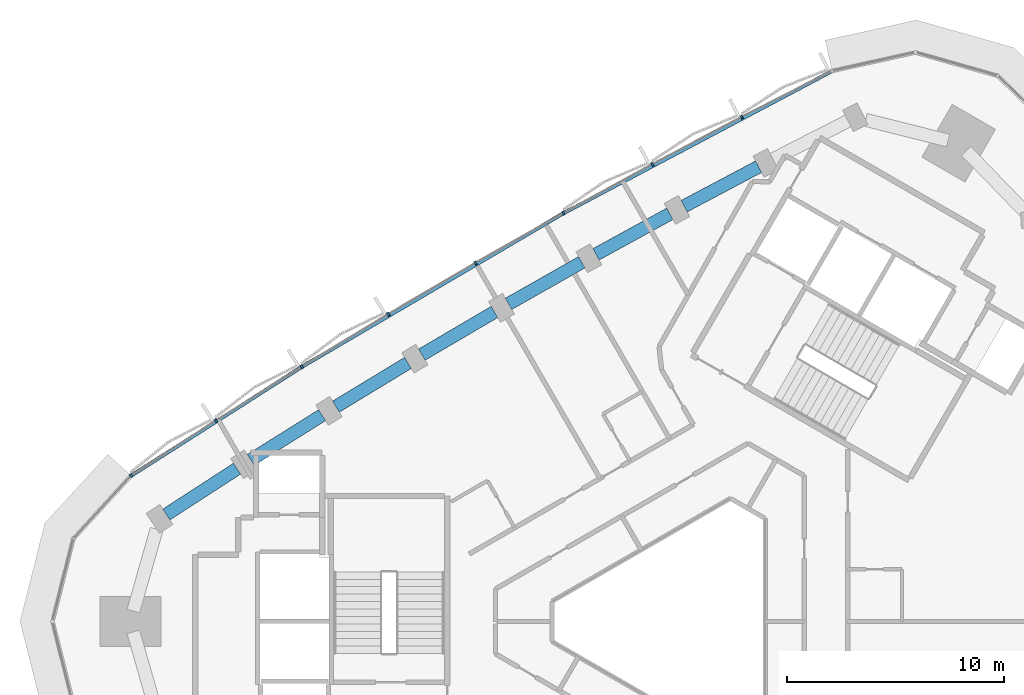
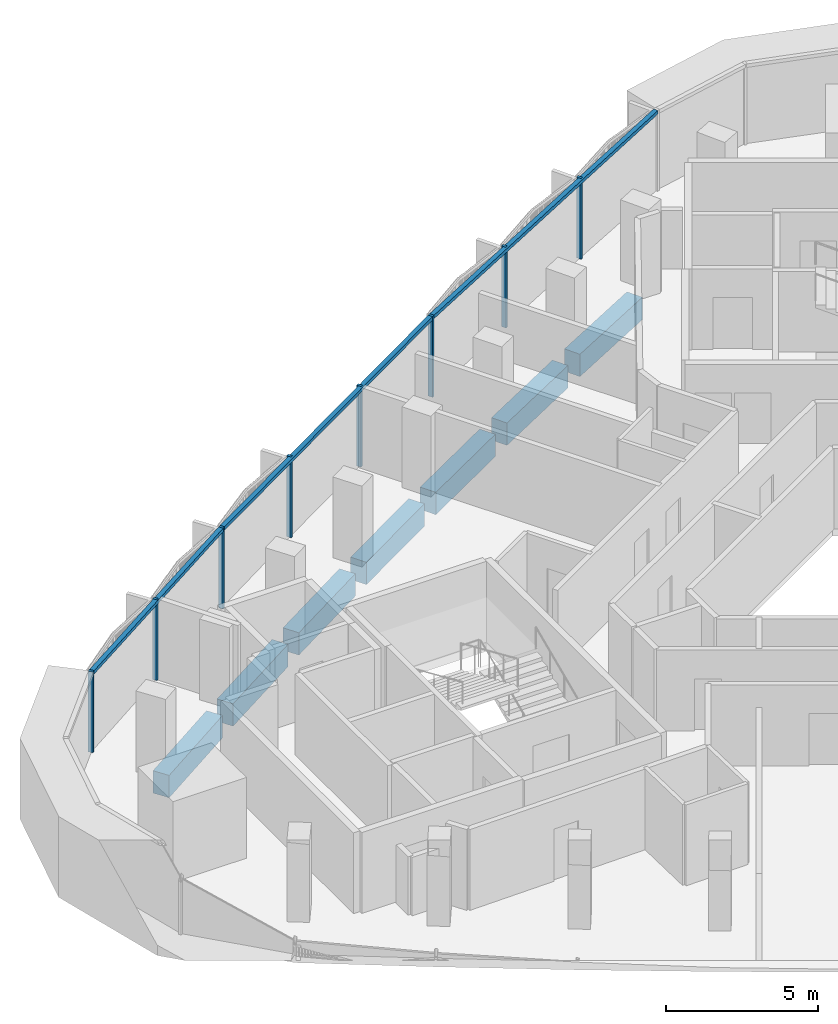
# One storey, part 5 of 16: 11 members, 7 beams, 1 element without a shape of its own.
"""IFC4 building model written with IfcOpenShell, lengths in metres."""

from ifc_helpers import new_model, si_unit, direction, frame, origin, origin_2d, place, context, subcontext, project, spatial, rectangle, extrude, material, material_profile, profile_set, type_object, element, aggregate, save


model = new_model("IFC4")

# Units and contexts
model_context = context("Model", 3, precision=1e-05, world=origin(), true_north=direction((0.0, 1.0)))
body_context = subcontext(model_context, "Body", "Model", "MODEL_VIEW")
ifc_project = project(units=[si_unit("LENGTHUNIT", "METRE"), si_unit("AREAUNIT", "SQUARE_METRE"), si_unit("VOLUMEUNIT", "CUBIC_METRE"), si_unit("PLANEANGLEUNIT", "RADIAN"), si_unit("MASSUNIT", "GRAM", prefix="KILO")], contexts=[model_context])

# Site, building, storey
site_placement = place(None, origin())
site = spatial("IfcSite", under=ifc_project, at=site_placement, CompositionType="ELEMENT")
building_placement = place(site_placement, origin())
building = spatial("IfcBuilding", under=site, at=building_placement, Name="Tamra Quay Hotel Tower", CompositionType="ELEMENT")
storey_placement = place(building_placement, frame((0.0, 0.0, 239.39990234375)))
storey = spatial("IfcBuildingStorey", under=building, at=storey_placement, Name="L60", CompositionType="ELEMENT", Elevation=239.39990234375)

# Curtain wall, members
ifc_material_1 = material(Name="Aluminium 6063 anodised dark grey", Category="aluminium")
curtain_wall_type = type_object("IfcCurtainWallType", Name="CW2 CURTAIN WALL", PredefinedType="NOTDEFINED", material=ifc_material_1)
curtain_wall_placement = place(storey_placement, origin())
curtain_wall = element("IfcCurtainWall", 1, at=curtain_wall_placement, inside=storey, type_object=curtain_wall_type, Name="CW2 north-west face L60", PredefinedType="NOTDEFINED")
ifc_material_profile_1 = material_profile(ifc_material_1, rectangle(XDim=0.169921875, YDim=0.10009765625, at=origin_2d()), Name="MULLION 100X170")
ifc_profile_set_1 = profile_set([ifc_material_profile_1], Name="Aluminium 6063 anodised dark grey")
member_type_1 = type_object("IfcMemberType", Name="MULLION CW2 Z5", PredefinedType="MULLION", material=ifc_profile_set_1)
member_1_placement = place(storey_placement, frame((2.730712890625, 23.223388671875, 0.0), z_axis=(0.0, 0.0, 1.0), x_axis=(-0.461344395639, 0.887221138507, 0.0)))
member_1 = element("IfcMember", 2, at=member_1_placement, type_object=member_type_1, Name="CW2 mullion L60.NW.2", PredefinedType="MULLION", context=body_context, shape_type="SweptSolid", body=[
    extrude(rectangle(XDim=0.169921875, YDim=0.10009765625, at=origin_2d()), origin(), (0.0, 0.0, 1.0), 3.25),
])
member_2_placement = place(storey_placement, frame((-1.388671875, 21.04296875, 0.0), z_axis=(0.0, 0.0, 1.0), x_axis=(-0.474319060265, 0.880353013892, 0.0)))
member_2 = element("IfcMember", 3, at=member_2_placement, type_object=member_type_1, Name="CW2 mullion L60.NW.3", PredefinedType="MULLION", context=body_context, shape_type="SweptSolid", body=[
    extrude(rectangle(XDim=0.169921875, YDim=0.10009765625, at=origin_2d()), origin(), (0.0, 0.0, 1.0), 3.25),
])
member_3_placement = place(storey_placement, frame((-5.47412109375, 18.802978515625, 0.0), z_axis=(0.0, 0.0, 1.0), x_axis=(-0.487204209401, 0.873288072942, 0.0)))
member_3 = element("IfcMember", 4, at=member_3_placement, type_object=member_type_1, Name="CW2 mullion L60.NW.4", PredefinedType="MULLION", context=body_context, shape_type="SweptSolid", body=[
    extrude(rectangle(XDim=0.169921875, YDim=0.10009765625, at=origin_2d()), origin(), (0.0, 0.0, 1.0), 3.25),
])
member_4_placement = place(storey_placement, frame((-9.527587890625, 16.502197265625, 0.0), z_axis=(0.0, 0.0, 1.0), x_axis=(-0.5, 0.866025403784, 0.0)))
member_4 = element("IfcMember", 5, at=member_4_placement, type_object=member_type_1, Name="CW2 mullion L60.NW.5", PredefinedType="MULLION", context=body_context, shape_type="SweptSolid", body=[
    extrude(rectangle(XDim=0.169921875, YDim=0.10009765625, at=origin_2d()), origin(), (0.0, 0.0, 1.0), 3.25),
])
member_5_placement = place(storey_placement, frame((-13.546630859375, 14.14208984375, 0.0), z_axis=(0.0, 0.0, 1.0), x_axis=(-0.512687551289, 0.858575258643, 0.0)))
member_5 = element("IfcMember", 6, at=member_5_placement, type_object=member_type_1, Name="CW2 mullion L60.NW.6", PredefinedType="MULLION", context=body_context, shape_type="SweptSolid", body=[
    extrude(rectangle(XDim=0.169921875, YDim=0.10009765625, at=origin_2d()), origin(), (0.0, 0.0, 1.0), 3.25),
])
member_6_placement = place(storey_placement, frame((-17.529296875, 11.72412109375, 0.0), z_axis=(0.0, 0.0, 1.0), x_axis=(-0.525248544196, 0.850948862635, 0.0)))
member_6 = element("IfcMember", 7, at=member_6_placement, type_object=member_type_1, Name="CW2 mullion L60.NW.7", PredefinedType="MULLION", context=body_context, shape_type="SweptSolid", body=[
    extrude(rectangle(XDim=0.169921875, YDim=0.10009765625, at=origin_2d()), origin(), (0.0, 0.0, 1.0), 3.25),
])
member_7_placement = place(storey_placement, frame((-21.477294921875, 9.2470703125, 0.0), z_axis=(0.0, 0.0, 1.0), x_axis=(-0.537683846902, 0.84314653577, 0.0)))
member_7 = element("IfcMember", 8, at=member_7_placement, type_object=member_type_1, Name="CW2 mullion L60.NW.8", PredefinedType="MULLION", context=body_context, shape_type="SweptSolid", body=[
    extrude(rectangle(XDim=0.169921875, YDim=0.10009765625, at=origin_2d()), origin(), (0.0, 0.0, 1.0), 3.25),
])
member_8_placement = place(storey_placement, frame((-25.387939453125, 6.712646484375, 0.0), z_axis=(0.0, 0.0, 1.0), x_axis=(-0.64584626761, 0.763467483665, 0.0)))
member_8 = element("IfcMember", 9, at=member_8_placement, type_object=member_type_1, Name="CW2 mullion L60.NW.9", PredefinedType="MULLION", context=body_context, shape_type="SweptSolid", body=[
    extrude(rectangle(XDim=0.169921875, YDim=0.10009765625, at=origin_2d()), origin(), (0.0, 0.0, 1.0), 3.25),
])

# Beams
ifc_material_2 = material(Name="Concrete M60", Category="concrete")
ifc_material_profile_2 = material_profile(ifc_material_2, rectangle(XDim=0.60009765625, YDim=0.89990234375, at=origin_2d()), Name="SPANDREL BEAM RC 600x900")
ifc_profile_set_2 = profile_set([ifc_material_profile_2], Name="Concrete M60")
beam_type = type_object("IfcBeamType", Name="SPANDREL BEAM RC 600x900", PredefinedType="SPANDREL", material=ifc_profile_set_2)
beam_1_placement = place(storey_placement, frame((3.5, 20.931396484375, -0.7998046875), z_axis=(-0.883803240878, -0.467858772937, 0.0), x_axis=(0.467858772937, -0.883803240878, 0.0)))
element("IfcBeam", 10, at=beam_1_placement, inside=storey, type_object=beam_type, Name="BM-SP5-011-L60", PredefinedType="SPANDREL", context=body_context, shape_type="SweptSolid", body=[
    extrude(rectangle(XDim=0.60009765625, YDim=0.89990234375, at=origin_2d()), origin(), (0.0, 0.0, 1.0), 3.875),
])
beam_2_placement = place(storey_placement, frame((-0.585205078125, 18.7626953125, -0.7998046875), z_axis=(-0.876838966376, -0.480784179279, 0.0), x_axis=(0.480784179279, -0.876838966376, 0.0)))
element("IfcBeam", 11, at=beam_2_placement, inside=storey, type_object=beam_type, Name="BM-SP5-012-L60", PredefinedType="SPANDREL", context=body_context, shape_type="SweptSolid", body=[
    extrude(rectangle(XDim=0.60009765625, YDim=0.89990234375, at=origin_2d()), origin(), (0.0, 0.0, 1.0), 3.87548828125),
])
beam_3_placement = place(storey_placement, frame((-4.638427734375, 16.533935546875, -0.7998046875), z_axis=(-0.86967787455, -0.493619686113, 0.0), x_axis=(0.493619686113, -0.86967787455, 0.0)))
element("IfcBeam", 12, at=beam_3_placement, inside=storey, type_object=beam_type, Name="BM-SP5-013-L60", PredefinedType="SPANDREL", context=body_context, shape_type="SweptSolid", body=[
    extrude(rectangle(XDim=0.60009765625, YDim=0.89990234375, at=origin_2d()), origin(), (0.0, 0.0, 1.0), 3.875244140625),
])
beam_4_placement = place(storey_placement, frame((-8.658203125, 14.24609375, -0.7998046875), z_axis=(-0.862324287816, -0.506356418585, 0.0), x_axis=(0.506356418585, -0.862324287816, 0.0)))
element("IfcBeam", 13, at=beam_4_placement, inside=storey, type_object=beam_type, Name="BM-SP5-014-L60", PredefinedType="SPANDREL", context=body_context, shape_type="SweptSolid", body=[
    extrude(rectangle(XDim=0.60009765625, YDim=0.89990234375, at=origin_2d()), origin(), (0.0, 0.0, 1.0), 3.875),
])
beam_5_placement = place(storey_placement, frame((-12.6435546875, 11.8994140625, -0.7998046875), z_axis=(-0.854785519234, -0.518981421737, 0.0), x_axis=(0.518981421737, -0.854785519234, 0.0)))
element("IfcBeam", 14, at=beam_5_placement, inside=storey, type_object=beam_type, Name="BM-SP5-015-L60", PredefinedType="SPANDREL", context=body_context, shape_type="SweptSolid", body=[
    extrude(rectangle(XDim=0.60009765625, YDim=0.89990234375, at=origin_2d()), origin(), (0.0, 0.0, 1.0), 3.875732421875),
])
beam_6_placement = place(storey_placement, frame((-16.5947265625, 9.494140625, -0.7998046875), z_axis=(-0.847066119134, -0.53148752555, 0.0), x_axis=(0.53148752555, -0.847066119134, 0.0)))
element("IfcBeam", 15, at=beam_6_placement, inside=storey, type_object=beam_type, Name="BM-SP5-016-L60", PredefinedType="SPANDREL", context=body_context, shape_type="SweptSolid", body=[
    extrude(rectangle(XDim=0.60009765625, YDim=0.89990234375, at=origin_2d()), origin(), (0.0, 0.0, 1.0), 3.875),
])
beam_7_placement = place(storey_placement, frame((-20.509521484375, 7.03125, -0.7998046875), z_axis=(-0.839181205466, -0.543851914029, 0.0), x_axis=(0.543851914029, -0.839181205466, 0.0)))
element("IfcBeam", 16, at=beam_7_placement, inside=storey, type_object=beam_type, Name="BM-SP5-017-L60", PredefinedType="SPANDREL", context=body_context, shape_type="SweptSolid", body=[
    extrude(rectangle(XDim=0.60009765625, YDim=0.89990234375, at=origin_2d()), origin(), (0.0, 0.0, 1.0), 3.87548828125),
])

# Member
ifc_material_profile_3 = material_profile(ifc_material_1, rectangle(XDim=0.169921875, YDim=0.139892578125, at=origin_2d()), Name="TRANSOM 170X140")
ifc_profile_set_3 = profile_set([ifc_material_profile_3], Name="Aluminium 6063 anodised dark grey")
member_type_2 = type_object("IfcMemberType", Name="TRANSOM CW2 Z5", PredefinedType="USERDEFINED", material=ifc_profile_set_3)
member_9_placement = place(storey_placement, frame((6.836181640625, 25.320068359375, 3.18017578125), z_axis=(-0.883811448784, -0.467843267557, 0.0), x_axis=(0.467843267557, -0.883811448784, 0.0)))
member_9 = element("IfcMember", 17, at=member_9_placement, type_object=member_type_2, Name="CW2 transom L60.NW.1", ObjectType="TRANSOM", PredefinedType="USERDEFINED", context=body_context, shape_type="SweptSolid", body=[
    extrude(rectangle(XDim=0.169921875, YDim=0.139892578125, at=origin_2d()), origin(), (0.0, 0.0, 1.0), 13.87890625),
])

member_10_placement = place(storey_placement, frame((-5.517578125, 18.7783203125, 3.18017578125), z_axis=(-0.862320117971, -0.506363519758, 0.0), x_axis=(0.506363519758, -0.862320117971, 0.0)))
member_10 = element("IfcMember", 18, at=member_10_placement, type_object=member_type_2, Name="CW2 transom L60.NW.4", ObjectType="TRANSOM", PredefinedType="USERDEFINED", context=body_context, shape_type="SweptSolid", body=[
    extrude(rectangle(XDim=0.169921875, YDim=0.139892578125, at=origin_2d()), origin(), (0.0, 0.0, 1.0), 13.8798828125),
])

member_11_placement = place(storey_placement, frame((-17.57177734375, 11.697509765625, 3.18017578125), z_axis=(-0.843142122818, -0.537690766827, 0.0), x_axis=(0.537690766827, -0.843142122818, 0.0)))
member_11 = element("IfcMember", 19, at=member_11_placement, type_object=member_type_2, Name="CW2 transom L60.NW.7", ObjectType="TRANSOM", PredefinedType="USERDEFINED", context=body_context, shape_type="SweptSolid", body=[
    extrude(rectangle(XDim=0.169921875, YDim=0.139892578125, at=origin_2d()), origin(), (0.0, 0.0, 1.0), 9.220458984375),
])

aggregate(curtain_wall, [member_9, member_1, member_2, member_3, member_10, member_4, member_5, member_6, member_11, member_7, member_8])

save(model, "model.ifc")
